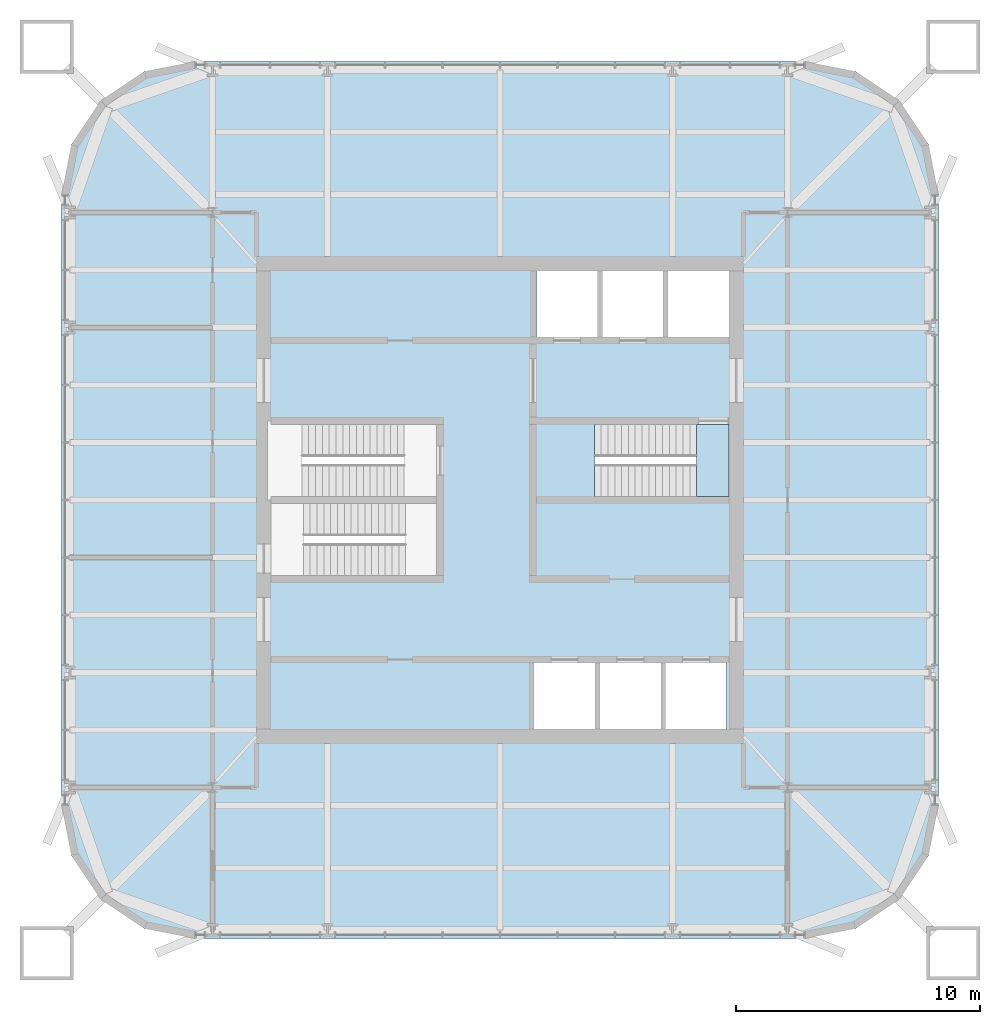
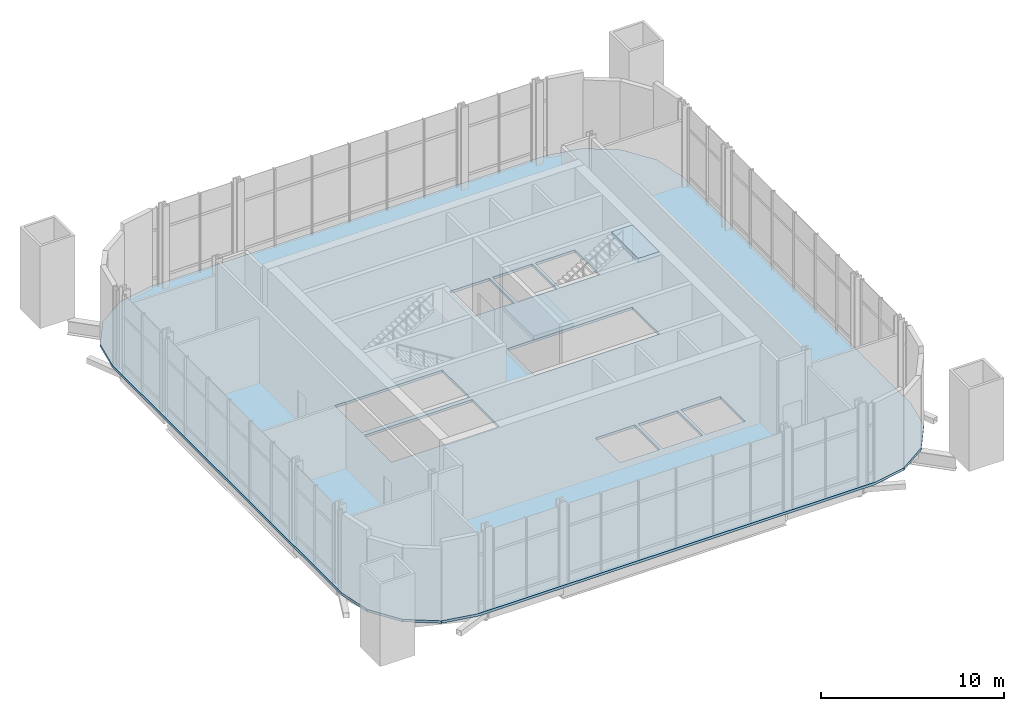
# One storey, part 10 of 17: 3 slabs, 1 element without a shape of its own.
"""IFC4 building model written with IfcOpenShell, lengths in metres."""

from ifc_helpers import new_model, si_unit, direction, frame, origin, place, context, subcontext, project, spatial, polyline, outline, extrude, material, layer, layer_set, type_object, element, aggregate, save


model = new_model("IFC4")

# Units and contexts
model_context = context("Model", 3, precision=1e-05, world=origin(), true_north=direction((0.0, 1.0)))
body_context = subcontext(model_context, "Body", "Model", "MODEL_VIEW")
ifc_project = project(units=[si_unit("LENGTHUNIT", "METRE"), si_unit("AREAUNIT", "SQUARE_METRE"), si_unit("VOLUMEUNIT", "CUBIC_METRE"), si_unit("PLANEANGLEUNIT", "RADIAN"), si_unit("MASSUNIT", "GRAM", prefix="KILO")], contexts=[model_context])

# Site, building, storey
site_placement = place(None, origin())
site = spatial("IfcSite", under=ifc_project, at=site_placement, CompositionType="ELEMENT")
building_placement = place(site_placement, origin())
building = spatial("IfcBuilding", under=site, at=building_placement, Name="Turquesa Mirador Hotel Tower", CompositionType="ELEMENT")
storey_placement = place(building_placement, frame((0.0, 0.0, 266.699951171875)))
storey = spatial("IfcBuildingStorey", under=building, at=storey_placement, Name="L72", CompositionType="ELEMENT", Elevation=266.699951171875)

# Slab
ifc_material_1 = material(Name="Concrete C28/35", Category="concrete")
ifc_layer_1 = layer(ifc_material_1, 0.169921875)
ifc_layer_set_1 = layer_set([ifc_layer_1], Name="COMPOSITE FLOOR SLAB 170")
slab_type_1 = type_object("IfcSlabType", Name="COMPOSITE FLOOR SLAB 170", PredefinedType="FLOOR", material=ifc_layer_set_1)
slab_1_placement = place(storey_placement, frame((0.0, 0.0, -0.169921875)))
element("IfcSlab", 1, at=slab_1_placement, inside=storey, type_object=slab_type_1, Name="Floor slab L72", PredefinedType="FLOOR", context=body_context, shape_type="SweptSolid", body=[
    extrude(outline(polyline([(67.5, 27.0), (69.604736328125, 27.418701171875), (71.38916015625, 28.61083984375), (72.581298828125, 30.395263671875), (73.0, 32.5), (73.0, 57.5), (72.581298828125, 59.604736328125), (71.38916015625, 61.38916015625), (69.604736328125, 62.581298828125), (67.5, 63.0), (42.5, 63.0), (40.395263671875, 62.581298828125), (38.61083984375, 61.38916015625), (37.418701171875, 59.604736328125), (37.0, 57.5), (37.0, 32.5), (37.418701171875, 30.395263671875), (38.61083984375, 28.61083984375), (40.395263671875, 27.418701171875), (42.5, 27.0), (67.5, 27.0)]), holes=[polyline([(56.5, 51.699951171875), (59.0, 51.699951171875), (59.0, 54.39990234375), (56.5, 54.39990234375), (56.5, 51.699951171875)]), polyline([(59.199951171875, 51.699951171875), (61.699951171875, 51.699951171875), (61.699951171875, 54.39990234375), (59.199951171875, 54.39990234375), (59.199951171875, 51.699951171875)]), polyline([(56.39990234375, 35.60009765625), (58.89990234375, 35.60009765625), (58.89990234375, 38.300048828125), (56.39990234375, 38.300048828125), (56.39990234375, 35.60009765625)]), polyline([(59.10009765625, 35.60009765625), (61.60009765625, 35.60009765625), (61.60009765625, 38.300048828125), (59.10009765625, 38.300048828125), (59.10009765625, 35.60009765625)]), polyline([(61.800048828125, 35.60009765625), (64.300048828125, 35.60009765625), (64.300048828125, 38.300048828125), (61.800048828125, 38.300048828125), (61.800048828125, 35.60009765625)]), polyline([(45.60009765625, 45.14990234375), (52.39990234375, 45.14990234375), (52.39990234375, 48.10009765625), (45.60009765625, 48.10009765625), (45.60009765625, 45.14990234375)]), polyline([(45.60009765625, 41.89990234375), (52.39990234375, 41.89990234375), (52.39990234375, 44.85009765625), (45.60009765625, 44.85009765625), (45.60009765625, 41.89990234375)]), polyline([(56.5, 45.14990234375), (64.39990234375, 45.14990234375), (64.39990234375, 48.10009765625), (56.5, 48.10009765625), (56.5, 45.14990234375)]), polyline([(61.89990234375, 51.699951171875), (64.39990234375, 51.699951171875), (64.39990234375, 54.39990234375), (61.89990234375, 54.39990234375), (61.89990234375, 51.699951171875)])]), origin(), (0.0, 0.0, 1.0), 0.169921875),
])

# Stair, slabs
ifc_material_2 = material(Name="Concrete C35/45", Category="concrete")
stair_type = type_object("IfcStairType", Name="ESCAPE STAIR CORE", PredefinedType="HALF_TURN_STAIR", material=ifc_material_2)
stair_placement = place(storey_placement, origin())
stair = element("IfcStair", 2, at=stair_placement, inside=storey, type_object=stair_type, Name="Stair ST3 L72 to RF", PredefinedType="HALF_TURN_STAIR")
ifc_material_3 = material(Name="Concrete C35/45", Category="concrete")
ifc_layer_2 = layer(ifc_material_3, 0.300048828125)
ifc_layer_set_2 = layer_set([ifc_layer_2], Name="STAIR LANDING 300")
slab_type_2 = type_object("IfcSlabType", Name="STAIR LANDING 300", PredefinedType="LANDING", material=ifc_layer_set_2)
slab_2_placement = place(storey_placement, frame((0.0, 0.0, 2.449951171875)))
slab_2 = element("IfcSlab", 3, at=slab_2_placement, type_object=slab_type_2, Name="ST3 landing 1", PredefinedType="LANDING", context=body_context, shape_type="SweptSolid", body=[
    extrude(outline(polyline([(56.35009765625, 45.0), (58.8701171875, 45.0), (58.8701171875, 48.25), (56.35009765625, 48.25), (56.35009765625, 45.0)])), origin(), (0.0, 0.0, 1.0), 0.300048828125),
])
slab_3_placement = place(storey_placement, frame((0.0, 0.0, 5.199951171875)))
slab_3 = element("IfcSlab", 4, at=slab_3_placement, type_object=slab_type_2, Name="ST3 landing 2", PredefinedType="LANDING", context=body_context, shape_type="SweptSolid", body=[
    extrude(outline(polyline([(63.070068359375, 45.14990234375), (64.39990234375, 45.14990234375), (64.39990234375, 48.10009765625), (63.070068359375, 48.10009765625), (63.070068359375, 45.14990234375)])), origin(), (0.0, 0.0, 1.0), 0.300048828125),
])
aggregate(stair, [slab_2, slab_3])

save(model, "model.ifc")
